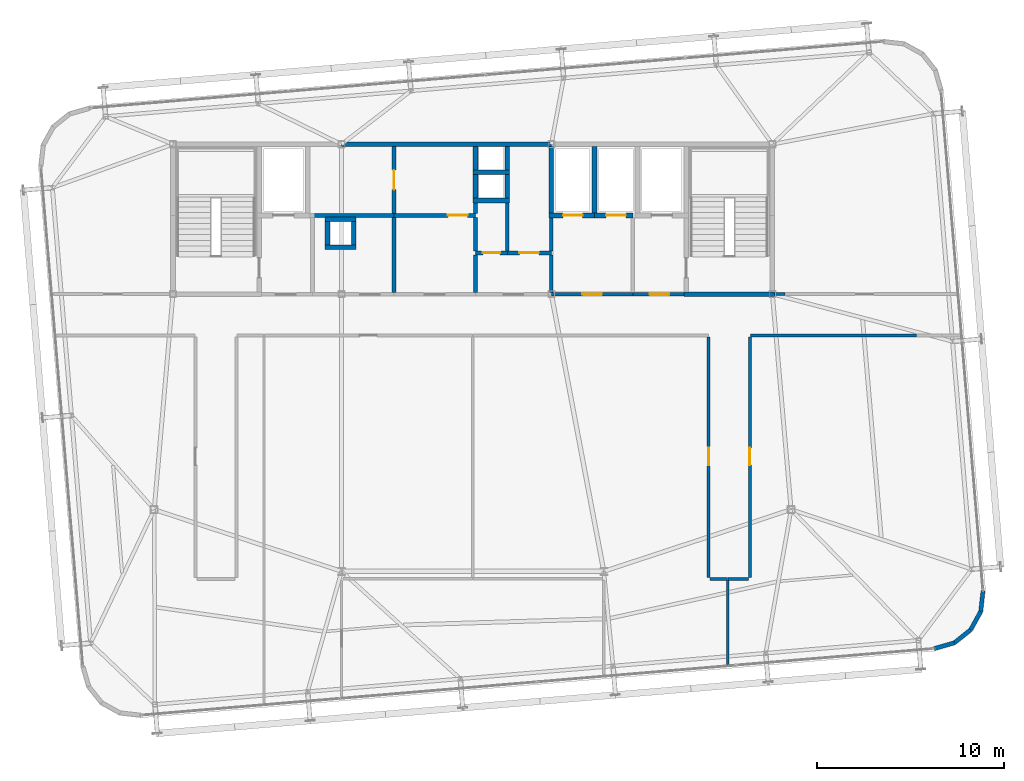
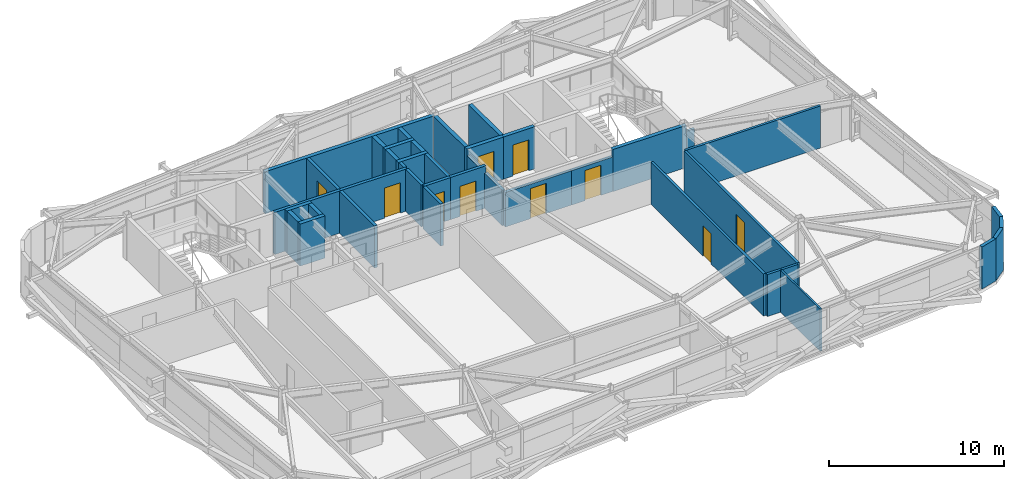
# One storey, part 34 of 37: 41 walls, 10 doors, 10 openings.
"""IFC4 building model written with IfcOpenShell, lengths in metres."""

import ifcopenshell
import ifcopenshell.guid

model = None  # the IFC model being written
_history = None  # IfcOwnerHistory: only IFC2X3 demands one
_inside = {}  # id of a spatial element -> (the spatial element, [elements in it])
_under = {}  # id of a project, library or spatial element -> (it, [spatial elements below it])
_declared = {}  # id of a project -> (the project, [libraries it declares])
_typed = {}  # id of a type object -> (the type object, [elements of that type])
_made_of = {}  # id of a material, layer set ... -> (it, [elements and type objects made of it])


def new_model(schema):
    """Start an empty IFC model of exactly this schema.

    Asked for "IFC4X3", IfcOpenShell would pick the latest addendum, in which some entities
    have other attributes; the version numbers below select the first issue.
    IFC2X3 requires an IfcOwnerHistory on every rooted entity: one is made here for all.
    """
    global model, _history
    if schema == "IFC4X3":
        model = ifcopenshell.file(schema_version=(4, 3, 0, 0))
    else:
        model = ifcopenshell.file(schema=schema)
    _inside.clear()
    _under.clear()
    _declared.clear()
    _typed.clear()
    _made_of.clear()
    _history = None
    if model.schema == "IFC2X3":
        org = make("IfcOrganization", Name="unknown")
        user = make(
            "IfcPersonAndOrganization",
            ThePerson=make("IfcPerson", FamilyName="unknown"),
            TheOrganization=org,
        )
        app = make(
            "IfcApplication",
            ApplicationDeveloper=org,
            Version="unknown",
            ApplicationFullName="unknown",
            ApplicationIdentifier="unknown",
        )
        _history = make(
            "IfcOwnerHistory",
            OwningUser=user,
            OwningApplication=app,
            ChangeAction="ADDED",
            CreationDate=0,
        )
    return model


def make(cls, **values):
    """One entity of the class cls with the attributes given. An attribute that is None is left unset."""
    return model.create_entity(
        cls, **{name: value for name, value in values.items() if value is not None}
    )


def rooted(cls, **values):
    """An entity with a GlobalId (a new one), such as an element, a storey or a relation."""
    return make(cls, GlobalId=ifcopenshell.guid.new(), OwnerHistory=_history, **values)


def si_unit(unit_type, name, prefix=None):
    """IfcSIUnit, for example si_unit("LENGTHUNIT", "METRE", prefix="MILLI")."""
    return make("IfcSIUnit", UnitType=unit_type, Prefix=prefix, Name=name)


def assignment(units):
    """IfcUnitAssignment: the units of a project."""
    return None if units is None else make("IfcUnitAssignment", Units=units)


def point(xyz):
    """IfcCartesianPoint."""
    return None if xyz is None else make("IfcCartesianPoint", Coordinates=xyz)


def direction(xyz):
    """IfcDirection."""
    return None if xyz is None else make("IfcDirection", DirectionRatios=xyz)


def frame(location, z_axis=None, x_axis=None):
    """IfcAxis2Placement3D, a coordinate frame: its origin and axes. An axis left out is left unset."""
    return make(
        "IfcAxis2Placement3D",
        Location=point(location),
        Axis=direction(z_axis),
        RefDirection=direction(x_axis),
    )


def frame_2d(location, x_axis=None):
    """IfcAxis2Placement2D, a coordinate frame in the plane: its origin and x axis."""
    return make(
        "IfcAxis2Placement2D", Location=point(location), RefDirection=direction(x_axis)
    )


def origin():
    """The frame at (0, 0, 0) with its axes left unset."""
    return frame((0.0, 0.0, 0.0))


def place(relative_to, where):
    """IfcLocalPlacement: puts the frame where relative to a parent placement (None: the world)."""
    return make(
        "IfcLocalPlacement", PlacementRelTo=relative_to, RelativePlacement=where
    )


def context(
    kind, dimensions, precision=None, world=None, true_north=None, identifier=None
):
    """IfcGeometricRepresentationContext, for example the 3D "Model" context."""
    return make(
        "IfcGeometricRepresentationContext",
        ContextIdentifier=identifier,
        ContextType=kind,
        CoordinateSpaceDimension=dimensions,
        Precision=precision,
        WorldCoordinateSystem=world,
        TrueNorth=true_north,
    )


def subcontext(parent, identifier, kind, view, scale=None):
    """IfcGeometricRepresentationSubContext, for example "Body" below "Model"."""
    return make(
        "IfcGeometricRepresentationSubContext",
        ContextIdentifier=identifier,
        ContextType=kind,
        ParentContext=parent,
        TargetScale=scale,
        TargetView=view,
    )


def project(units=None, contexts=None):
    """IfcProject with its units and contexts."""
    return rooted(
        "IfcProject",
        Name="project",
        RepresentationContexts=contexts,
        UnitsInContext=assignment(units),
    )


def spatial(cls, under=None, at=None, **own):
    """A site, building, storey or space (cls), placed at a placement, below another one or the project."""
    s = rooted(cls, ObjectPlacement=at, **own)
    if under is not None:
        _under.setdefault(under.id(), (under, []))[1].append(s)
    return s


def profile(cls, at=None, kind="AREA", **sizes):
    """A parametric profile (cls). Its sizes go by their IFC names, for example OverallWidth=200.0."""
    return make(cls, ProfileType=kind, Position=at, **sizes)


def rectangle(**sizes):
    """IfcRectangleProfileDef."""
    return profile("IfcRectangleProfileDef", **sizes)


def extrude(swept, where, along, depth):
    """IfcExtrudedAreaSolid: the profile swept, set in the frame where, extruded along a direction by depth."""
    return make(
        "IfcExtrudedAreaSolid",
        SweptArea=swept,
        Position=where,
        ExtrudedDirection=direction(along),
        Depth=depth,
    )


def shape(context_of_items, identifier, shape_type, items):
    """IfcShapeRepresentation: the items that make up one representation, for example the "Body"."""
    return make(
        "IfcShapeRepresentation",
        ContextOfItems=context_of_items,
        RepresentationIdentifier=identifier,
        RepresentationType=shape_type,
        Items=items,
    )


def source(mapping_origin, context_of_items, identifier, shape_type, items):
    """IfcRepresentationMap: a shape defined once, which mapped items show again and again."""
    return make(
        "IfcRepresentationMap",
        MappingOrigin=mapping_origin,
        MappedRepresentation=shape(context_of_items, identifier, shape_type, items),
    )


def transform(
    local_origin,
    x_axis=None,
    y_axis=None,
    z_axis=None,
    scale=None,
    scale2=None,
    scale3=None,
    uniform=True,
):
    """IfcCartesianTransformationOperator3D, or its non-uniform kind. x_axis, y_axis, z_axis: its Axis1, 2, 3."""
    if uniform:
        return make(
            "IfcCartesianTransformationOperator3D",
            Axis1=direction(x_axis),
            Axis2=direction(y_axis),
            LocalOrigin=point(local_origin),
            Scale=scale,
            Axis3=direction(z_axis),
        )
    return make(
        "IfcCartesianTransformationOperator3DnonUniform",
        Axis1=direction(x_axis),
        Axis2=direction(y_axis),
        LocalOrigin=point(local_origin),
        Scale=scale,
        Axis3=direction(z_axis),
        Scale2=scale2,
        Scale3=scale3,
    )


def mapped(mapping_source, mapping_target):
    """IfcMappedItem: shows the shape of a source again, moved by a transform."""
    return make(
        "IfcMappedItem", MappingSource=mapping_source, MappingTarget=mapping_target
    )


def material(Name=None, Category=None):
    """IfcMaterial."""
    return make("IfcMaterial", Name=Name, Category=Category)


def layer(
    of_material, thickness, ventilated=None, Name=None, Category=None, Priority=None
):
    """IfcMaterialLayer: one layer of a wall or slab, of a material (None: an air gap)."""
    return make(
        "IfcMaterialLayer",
        Material=of_material,
        LayerThickness=thickness,
        IsVentilated=ventilated,
        Name=Name,
        Category=Category,
        Priority=Priority,
    )


def layer_set(layers, Name=None):
    """IfcMaterialLayerSet."""
    return make("IfcMaterialLayerSet", MaterialLayers=layers, LayerSetName=Name)


def made_of(thing, what):
    """Note that an element or type object is made of a material, layer set ...; save() writes the relation."""
    if what is not None:
        _made_of.setdefault(what.id(), (what, []))[1].append(thing)
    return thing


def type_object(cls, material=None, **own):
    """A type object (cls), such as IfcWallType, which elements share."""
    return made_of(rooted(cls, **own), material)


def element(
    cls,
    number,
    at=None,
    inside=None,
    cuts=None,
    type_object=None,
    material=None,
    context=None,
    identifier="Body",
    shape_type=None,
    held_by="IfcProductDefinitionShape",
    body=None,
    shapes=None,
    **own,
):
    """One element of the class cls, such as IfcWall. Its Tag is "e" and its number.

    at: its placement. inside: the storey or other place that contains it. cuts: it is an
    opening in that element (IfcRelVoidsElement). A single representation is given by context,
    identifier, shape_type and body (its items); several are given by shapes. held_by: the class
    of the entity that holds the representations. save() writes the other relations.
    """
    e = rooted(cls, Tag="e%d" % number, ObjectPlacement=at, **own)
    if body is not None:
        shapes = [shape(context, identifier, shape_type, body)]
    if shapes is not None:
        e.Representation = make(held_by, Representations=shapes)
    if inside is not None:
        _inside.setdefault(inside.id(), (inside, []))[1].append(e)
    if cuts is not None:
        rooted(
            "IfcRelVoidsElement", RelatingBuildingElement=cuts, RelatedOpeningElement=e
        )
    if type_object is not None:
        _typed.setdefault(type_object.id(), (type_object, []))[1].append(e)
    return made_of(e, material)


def fill(opening, filler):
    """IfcRelFillsElement: the door or window that sits in an opening."""
    return rooted(
        "IfcRelFillsElement",
        RelatingOpeningElement=opening,
        RelatedBuildingElement=filler,
    )


def aggregate(whole, parts):
    """IfcRelAggregates: a whole, such as a stair, and the parts it consists of."""
    return rooted("IfcRelAggregates", RelatingObject=whole, RelatedObjects=parts)


def save(model, path):
    """Write the relations noted so far, then the file.

    IfcRelAggregates (storeys below a building ...), IfcRelContainedInSpatialStructure (elements
    in a storey), IfcRelDefinesByType, IfcRelAssociatesMaterial and IfcRelDeclares: one each for
    every whole, place, type object, material and project.
    """
    for whole, parts in _under.values():
        aggregate(whole, parts)
    for where, things in _inside.values():
        rooted(
            "IfcRelContainedInSpatialStructure",
            RelatedElements=things,
            RelatingStructure=where,
        )
    for kind, things in _typed.values():
        rooted("IfcRelDefinesByType", RelatedObjects=things, RelatingType=kind)
    for what, things in _made_of.values():
        rooted("IfcRelAssociatesMaterial", RelatedObjects=things, RelatingMaterial=what)
    for by, libraries in _declared.values():
        rooted("IfcRelDeclares", RelatingContext=by, RelatedDefinitions=libraries)
    model.write(path)


model = new_model("IFC4")

# Units and contexts
model_context = context("Model", 3, precision=1e-05, world=origin(), true_north=direction((0.0, 1.0)))
body_context = subcontext(model_context, "Body", "Model", "MODEL_VIEW")
ifc_project = project(units=[si_unit("LENGTHUNIT", "METRE"), si_unit("AREAUNIT", "SQUARE_METRE"), si_unit("VOLUMEUNIT", "CUBIC_METRE"), si_unit("PLANEANGLEUNIT", "RADIAN"), si_unit("MASSUNIT", "GRAM", prefix="KILO")], contexts=[model_context])

# Site, building, storey
site_placement = place(None, origin())
site = spatial("IfcSite", under=ifc_project, at=site_placement, CompositionType="ELEMENT")
building_placement = place(site_placement, origin())
building = spatial("IfcBuilding", under=site, at=building_placement, Name="Taldren Reach Tower", CompositionType="ELEMENT")
storey_placement = place(building_placement, frame((0.0, 0.0, 200.89990234375)))
storey = spatial("IfcBuildingStorey", under=building, at=storey_placement, Name="L61", CompositionType="ELEMENT", Elevation=200.89990234375)

# Walls
ifc_material_1 = material(Name="Pale Champagne Anodised Aluminium Cladding", Category="aluminium")
ifc_layer_1 = layer(ifc_material_1, 0.04, Name="Pale Champagne Anodised Aluminium Cladding", Category="aluminium")
ifc_material_2 = material(Name="Mineral Wool Acoustic Insulation", Category="insulation")
ifc_layer_2 = layer(ifc_material_2, 0.06, Name="Mineral Wool Acoustic Insulation", Category="insulation")
ifc_material_3 = material(Name="Steel Gr 350 (C350L0)", Category="steel")
ifc_layer_3 = layer(ifc_material_3, 0.12, Name="Steel Gr 350 (C350L0)", Category="steel")
ifc_layer_set_1 = layer_set([ifc_layer_1, ifc_layer_2, ifc_layer_3], Name="Pale Champagne Aluminium Cladding and Steel Gr 350 Stud Framing")
wall_type_1 = type_object("IfcWallType", Name="EW-CRN-220", PredefinedType="SOLIDWALL", material=ifc_layer_set_1)
shared_shape_1 = source(origin(), body_context, "Body", "SweptSolid", [
    extrude(rectangle(XDim=1.115966796875, YDim=0.219970703125, at=frame_2d((0.55810546875, 0.0))), origin(), (0.0, 0.0, 1.0), 2.93017578125),
])
for number, where, z_axis, x_axis, name in (
    (1, (59.635986328125, 5.0751953125, 0.0), (0.0, 0.0, 1.0), (0.961010464297, 0.276512002475, 0.0), "Rounded-corner pale-metal facade wall L61-SE1"),
    (2, (60.70849609375, 5.3837890625, 0.0), (0.0, 0.0, 1.0), (0.782147847222, 0.623092886403, 0.0), "Rounded-corner pale-metal facade wall L61-SE2"),
    (3, (61.581298828125, 6.0791015625, 0.0), (0.0, 0.0, 1.0), (0.483933071672, 0.875105012065, 0.0), "Rounded-corner pale-metal facade wall L61-SE3"),
    (4, (62.121337890625, 7.0556640625, 0.0), (0.0, 0.0, 1.0), (0.112448259968, 0.993657581277, 0.0), "Rounded-corner pale-metal facade wall L61-SE4"),
):
    element("IfcWall", number, at=place(storey_placement, frame(where, z_axis=z_axis, x_axis=x_axis)), inside=storey, type_object=wall_type_1, Name=name, PredefinedType="SOLIDWALL", context=body_context, shape_type="MappedRepresentation", body=[
        mapped(shared_shape_1, transform((0.0, 0.0, 0.0), scale=1.0)),
    ])
ifc_material_4 = material(Name="Concrete S50 (50 MPa)", Category="concrete")
ifc_layer_4 = layer(ifc_material_4, 0.199951171875)
ifc_layer_set_2 = layer_set([ifc_layer_4], Name="Concrete S50 (50 MPa)")
wall_type_2 = type_object("IfcWallType", Name="IW-CORE-200", PredefinedType="SOLIDWALL", material=ifc_layer_set_2)
shared_shape_2 = source(origin(), body_context, "Body", "SweptSolid", [
    extrude(rectangle(XDim=2.0, YDim=0.199951171875, at=frame_2d((1.0, 0.0))), origin(), (0.0, 0.0, 1.0), 2.47021484375),
])
wall_1_placement = place(storey_placement, frame((39.199951171875, 24.10009765625, 0.0), z_axis=(0.0, 0.0, 1.0), x_axis=(0.0, 1.0, 0.0)))
element("IfcWall", 5, at=wall_1_placement, inside=storey, type_object=wall_type_2, Name="Rear Core Shear Wall W-INT-L61-029", PredefinedType="SOLIDWALL", context=body_context, shape_type="MappedRepresentation", body=[
    mapped(shared_shape_2, transform((0.0, 0.0, 0.0), scale=1.0)),
])

# Wall, opening, door
shared_shape_3 = source(origin(), body_context, "Body", "SweptSolid", [
    extrude(rectangle(XDim=4.35009765625, YDim=0.199951171875, at=frame_2d((2.175048828125, 0.0))), origin(), (0.0, 0.0, 1.0), 2.397216796875),
])
wall_2_placement = place(storey_placement, frame((43.550048828125, 24.0, 0.0), z_axis=(0.0, 0.0, 1.0), x_axis=(-1.0, 0.0, 0.0)))
wall_2 = element("IfcWall", 6, at=wall_2_placement, inside=storey, type_object=wall_type_2, Name="Rear Core Shear Wall W-INT-L61-031", PredefinedType="SOLIDWALL", context=body_context, shape_type="MappedRepresentation", body=[
    mapped(shared_shape_3, transform((0.0, 0.0, 0.0), scale=1.0)),
])
shared_shape_4 = source(origin(), body_context, "Body", "SweptSolid", [
    extrude(rectangle(XDim=1.050048828125, YDim=2.10009765625, at=frame_2d((0.52490234375, 1.050048828125))), frame((0.0, 0.10986328125, 0.0), z_axis=(0.0, -1.0, 0.0), x_axis=(1.0, 0.0, 0.0)), (0.0, 0.0, 1.0), 0.219970703125),
])
opening_1_placement = place(wall_2_placement, frame((1.64990234375, 0.0, 0.0)))
opening_1 = element("IfcOpeningElement", 7, at=opening_1_placement, cuts=wall_2, Name="Opening DF-105", PredefinedType="OPENING", context=body_context, shape_type="MappedRepresentation", body=[
    mapped(shared_shape_4, transform((0.0, 0.0, 0.0), scale=1.0)),
])
ifc_material_5 = material(Name="Fire-Rated Care and Stair Exit Door")
door_type_1 = type_object("IfcDoorType", Name="ID-FIRE-105", OperationType="NOTDEFINED", PredefinedType="DOOR", material=ifc_material_5)
shared_shape_5 = source(origin(), body_context, "Body", "SweptSolid", [
    extrude(rectangle(XDim=1.050048828125, YDim=2.10009765625, at=frame_2d((0.52490234375, 1.050048828125))), frame((0.0, 0.02490234375, 0.0), z_axis=(0.0, -1.0, 0.0), x_axis=(1.0, 0.0, 0.0)), (0.0, 0.0, 1.0), 0.050048828125),
])
door_1_placement = place(opening_1_placement, frame((1.050048828125, 0.0, 0.0), z_axis=(0.0, 0.0, 1.0), x_axis=(-1.0, 0.0, 0.0)))
door_1 = element("IfcDoor", 8, at=door_1_placement, inside=storey, type_object=door_type_1, Name="Interior Door DR-L61-005", OperationType="SINGLE_SWING_LEFT", OverallHeight=2.10009765625, OverallWidth=1.050048828125, PredefinedType="DOOR", context=body_context, shape_type="MappedRepresentation", body=[
    mapped(shared_shape_5, transform((0.0, 0.0, 0.0), scale=1.0)),
])
fill(opening_1, door_1)

# Walls
shared_shape_6 = source(origin(), body_context, "Body", "SweptSolid", [
    extrude(rectangle(XDim=4.0, YDim=0.199951171875, at=frame_2d((2.0, 0.0))), origin(), (0.0, 0.0, 1.0), 2.93017578125),
])
wall_3_placement = place(storey_placement, frame((30.800048828125, 28.10009765625, 0.0), z_axis=(0.0, 0.0, 1.0), x_axis=(0.0, -1.0, 0.0)))
element("IfcWall", 9, at=wall_3_placement, inside=storey, type_object=wall_type_2, Name="Rear Core Shear Wall W-INT-L61-033", PredefinedType="SOLIDWALL", context=body_context, shape_type="MappedRepresentation", body=[
    mapped(shared_shape_6, transform((0.0, 0.0, 0.0), scale=1.0)),
])
ifc_material_6 = material(Name="Concrete S65 (65 MPa)", Category="concrete")
ifc_layer_5 = layer(ifc_material_6, 0.25)
ifc_layer_set_3 = layer_set([ifc_layer_5], Name="Concrete S65 (65 MPa)")
wall_type_3 = type_object("IfcWallType", Name="IW-CORE-250", PredefinedType="SHEAR", material=ifc_layer_set_3)
shared_shape_7 = source(origin(), body_context, "Body", "SweptSolid", [
    extrude(rectangle(XDim=11.199951171875, YDim=0.25, at=frame_2d((5.60009765625, 0.0))), origin(), (0.0, 0.0, 1.0), 2.93017578125),
])
wall_4_placement = place(storey_placement, frame((28.0, 32.0, 0.0), z_axis=(0.0, 0.0, 1.0), x_axis=(1.0, 0.0, 0.0)))
element("IfcWall", 10, at=wall_4_placement, inside=storey, type_object=wall_type_3, Name="Rear Core Shear Wall W-CORE-L61-NORTH2", PredefinedType="SHEAR", context=body_context, shape_type="MappedRepresentation", body=[
    mapped(shared_shape_7, transform((0.0, 0.0, 0.0), scale=1.0)),
])
shared_shape_8 = source(origin(), body_context, "Body", "SweptSolid", [
    extrude(rectangle(XDim=3.550048828125, YDim=0.25, at=frame_2d((1.77490234375, 0.0))), origin(), (0.0, 0.0, 1.0), 2.93017578125),
])
for number, where, z_axis, x_axis, name in (
    (11, (41.5, 28.324951171875, 0.0), (0.0, 0.0, 1.0), (0.0, 1.0, 0.0), "Rear Core Shear Wall W-INT-L61-025"),
    (12, (39.199951171875, 31.875, 0.0), (0.0, 0.0, 1.0), (0.0, -1.0, 0.0), "Rear Core Shear Wall W-INT-L61-027"),
):
    element("IfcWall", number, at=place(storey_placement, frame(where, z_axis=z_axis, x_axis=x_axis)), inside=storey, type_object=wall_type_3, Name=name, PredefinedType="SHEAR", context=body_context, shape_type="MappedRepresentation", body=[
        mapped(shared_shape_8, transform((0.0, 0.0, 0.0), scale=1.0)),
    ])
shared_shape_9 = source(origin(), body_context, "Body", "SweptSolid", [
    extrude(rectangle(XDim=4.85009765625, YDim=0.25, at=frame_2d((2.425048828125, 0.0))), origin(), (0.0, 0.0, 1.0), 2.93017578125),
])
wall_5_placement = place(storey_placement, frame((46.27490234375, 24.0, 0.0), z_axis=(0.0, 0.0, 1.0), x_axis=(1.0, 0.0, 0.0)))
element("IfcWall", 13, at=wall_5_placement, inside=storey, type_object=wall_type_3, Name="Rear Core Shear Wall W-INT-L61-010", PredefinedType="SHEAR", context=body_context, shape_type="MappedRepresentation", body=[
    mapped(shared_shape_9, transform((0.0, 0.0, 0.0), scale=1.0)),
])

# Wall, opening, door
shared_shape_10 = source(origin(), body_context, "Body", "SweptSolid", [
    extrude(rectangle(XDim=2.724853515625, YDim=0.199951171875, at=frame_2d((1.3623046875, 0.0))), origin(), (0.0, 0.0, 1.0), 2.397216796875),
])
wall_6_placement = place(storey_placement, frame((43.550048828125, 24.0, 0.0), z_axis=(0.0, 0.0, 1.0), x_axis=(1.0, 0.0, 0.0)))
wall_6 = element("IfcWall", 14, at=wall_6_placement, inside=storey, type_object=wall_type_2, Name="Rear Core Shear Wall W-INT-L61-014", PredefinedType="SOLIDWALL", context=body_context, shape_type="MappedRepresentation", body=[
    mapped(shared_shape_10, transform((0.0, 0.0, 0.0), scale=1.0)),
])
opening_2_placement = place(wall_6_placement, frame((0.89990234375, 0.0, 0.0)))
opening_2 = element("IfcOpeningElement", 15, at=opening_2_placement, cuts=wall_6, Name="Opening DF-105", PredefinedType="OPENING", context=body_context, shape_type="MappedRepresentation", body=[
    mapped(shared_shape_4, transform((0.0, 0.0, 0.0), scale=1.0)),
])
door_2_placement = place(opening_2_placement, origin())
door_2 = element("IfcDoor", 16, at=door_2_placement, inside=storey, type_object=door_type_1, Name="Interior Door DR-L61-004", OperationType="SINGLE_SWING_LEFT", OverallHeight=2.10009765625, OverallWidth=1.050048828125, PredefinedType="DOOR", context=body_context, shape_type="MappedRepresentation", body=[
    mapped(shared_shape_5, transform((0.0, 0.0, 0.0), scale=1.0)),
])
fill(opening_2, door_2)

# Walls
shared_shape_11 = source(origin(), body_context, "Body", "SweptSolid", [
    extrude(rectangle(XDim=1.9501953125, YDim=0.25, at=frame_2d((0.97509765625, 0.0))), origin(), (0.0, 0.0, 1.0), 2.93017578125),
])
for number, where, z_axis, x_axis, name in (
    (17, (35.02490234375, 30.5, 0.0), (0.0, 0.0, 1.0), (1.0, 0.0, 0.0), "Rear Core Shear Wall W-INT-L61-015"),
    (18, (35.02490234375, 29.0, 0.0), (0.0, 0.0, 1.0), (1.0, 0.0, 0.0), "Rear Core Shear Wall W-INT-L61-019"),
):
    element("IfcWall", number, at=place(storey_placement, frame(where, z_axis=z_axis, x_axis=x_axis)), inside=storey, type_object=wall_type_3, Name=name, PredefinedType="SHEAR", context=body_context, shape_type="MappedRepresentation", body=[
        mapped(shared_shape_11, transform((0.0, 0.0, 0.0), scale=1.0)),
    ])
shared_shape_12 = source(origin(), body_context, "Body", "SweptSolid", [
    extrude(rectangle(XDim=1.25, YDim=0.25, at=frame_2d((0.625, 0.0))), origin(), (0.0, 0.0, 1.0), 2.93017578125),
])
for number, where, z_axis, x_axis, name in (
    (19, (35.14990234375, 31.875, 0.0), (0.0, 0.0, 1.0), (0.0, -1.0, 0.0), "Rear Core Shear Wall W-INT-L61-016"),
    (20, (36.85009765625, 30.625, 0.0), (0.0, 0.0, 1.0), (0.0, 1.0, 0.0), "Rear Core Shear Wall W-INT-L61-017"),
    (21, (35.14990234375, 30.375, 0.0), (0.0, 0.0, 1.0), (0.0, -1.0, 0.0), "Rear Core Shear Wall W-INT-L61-018"),
    (22, (36.85009765625, 29.125, 0.0), (0.0, 0.0, 1.0), (0.0, 1.0, 0.0), "Rear Core Shear Wall W-INT-L61-020"),
    (23, (28.64990234375, 26.625, 0.0), (0.0, 0.0, 1.0), (0.0, 1.0, 0.0), "Rear Core Shear Wall W-INT-L61-021"),
    (24, (27.25, 27.875, 0.0), (0.0, 0.0, 1.0), (0.0, -1.0, 0.0), "Rear Core Shear Wall W-INT-L61-022"),
):
    element("IfcWall", number, at=place(storey_placement, frame(where, z_axis=z_axis, x_axis=x_axis)), inside=storey, type_object=wall_type_3, Name=name, PredefinedType="SHEAR", context=body_context, shape_type="MappedRepresentation", body=[
        mapped(shared_shape_12, transform((0.0, 0.0, 0.0), scale=1.0)),
    ])
shared_shape_13 = source(origin(), body_context, "Body", "SweptSolid", [
    extrude(rectangle(XDim=1.64990234375, YDim=0.25, at=frame_2d((0.824951171875, 0.0))), origin(), (0.0, 0.0, 1.0), 2.93017578125),
])
for number, where, z_axis, x_axis, name in (
    (25, (28.77490234375, 28.0, 0.0), (0.0, 0.0, 1.0), (-1.0, 0.0, 0.0), "Rear Core Shear Wall W-INT-L61-023"),
    (26, (27.125, 26.5, 0.0), (0.0, 0.0, 1.0), (1.0, 0.0, 0.0), "Rear Core Shear Wall W-INT-L61-024"),
):
    element("IfcWall", number, at=place(storey_placement, frame(where, z_axis=z_axis, x_axis=x_axis)), inside=storey, type_object=wall_type_3, Name=name, PredefinedType="SHEAR", context=body_context, shape_type="MappedRepresentation", body=[
        mapped(shared_shape_13, transform((0.0, 0.0, 0.0), scale=1.0)),
    ])

# Wall, opening, door
shared_shape_14 = source(origin(), body_context, "Body", "SweptSolid", [
    extrude(rectangle(XDim=2.425048828125, YDim=0.25, at=frame_2d((1.21240234375, 0.0))), origin(), (0.0, 0.0, 1.0), 2.93017578125),
])
wall_7_placement = place(storey_placement, frame((39.074951171875, 28.199951171875, 0.0), z_axis=(0.0, 0.0, 1.0), x_axis=(1.0, 0.0, 0.0)))
wall_7 = element("IfcWall", 27, at=wall_7_placement, inside=storey, type_object=wall_type_3, Name="Rear Core Shear Wall W-INT-L61-026", PredefinedType="SHEAR", context=body_context, shape_type="MappedRepresentation", body=[
    mapped(shared_shape_14, transform((0.0, 0.0, 0.0), scale=1.0)),
])
shared_shape_15 = source(origin(), body_context, "Body", "SweptSolid", [
    extrude(rectangle(XDim=1.050048828125, YDim=2.14990234375, at=frame_2d((0.52490234375, 1.074951171875))), frame((0.0, 0.135009765625, 0.0), z_axis=(0.0, -1.0, 0.0), x_axis=(1.0, 0.0, 0.0)), (0.0, 0.0, 1.0), 0.27001953125),
])
opening_3_placement = place(wall_7_placement, frame((0.75, 0.0, 0.0)))
opening_3 = element("IfcOpeningElement", 28, at=opening_3_placement, cuts=wall_7, Name="Opening LD-PH1", PredefinedType="OPENING", context=body_context, shape_type="MappedRepresentation", body=[
    mapped(shared_shape_15, transform((0.0, 0.0, 0.0), scale=1.0)),
])
ifc_material_7 = material(Name="Stainless Steel Gr 316 Passenger Lift Landing Door", Category="steel")
door_type_2 = type_object("IfcDoorType", Name="LD-PAS-105", OperationType="SLIDING_TO_LEFT", PredefinedType="DOOR", material=ifc_material_7)
shared_shape_16 = source(origin(), body_context, "Body", "SweptSolid", [
    extrude(rectangle(XDim=1.050048828125, YDim=2.14990234375, at=frame_2d((0.52490234375, 1.074951171875))), frame((0.0, 0.02490234375, 0.0), z_axis=(0.0, -1.0, 0.0), x_axis=(1.0, 0.0, 0.0)), (0.0, 0.0, 1.0), 0.050048828125),
])
door_3_placement = place(opening_3_placement, origin())
door_3 = element("IfcDoor", 29, at=door_3_placement, inside=storey, type_object=door_type_2, Name="Lift Landing Door LD-PH1-L61", OperationType="SLIDING_TO_LEFT", OverallHeight=2.14990234375, OverallWidth=1.050048828125, PredefinedType="DOOR", context=body_context, shape_type="MappedRepresentation", body=[
    mapped(shared_shape_16, transform((0.0, 0.0, 0.0), scale=1.0)),
])
fill(opening_3, door_3)

shared_shape_17 = source(origin(), body_context, "Body", "SweptSolid", [
    extrude(rectangle(XDim=2.070068359375, YDim=0.25, at=frame_2d((1.03515625, 0.0))), origin(), (0.0, 0.0, 1.0), 2.93017578125),
])
wall_8_placement = place(storey_placement, frame((41.5, 28.199951171875, 0.0), z_axis=(0.0, 0.0, 1.0), x_axis=(1.0, 0.0, 0.0)))
wall_8 = element("IfcWall", 30, at=wall_8_placement, inside=storey, type_object=wall_type_3, Name="Rear Core Shear Wall W-INT-L61-028", PredefinedType="SHEAR", context=body_context, shape_type="MappedRepresentation", body=[
    mapped(shared_shape_17, transform((0.0, 0.0, 0.0), scale=1.0)),
])
opening_4_placement = place(wall_8_placement, frame((0.625, 0.0, 0.0)))
opening_4 = element("IfcOpeningElement", 31, at=opening_4_placement, cuts=wall_8, Name="Opening LD-PH2", PredefinedType="OPENING", context=body_context, shape_type="MappedRepresentation", body=[
    mapped(shared_shape_15, transform((0.0, 0.0, 0.0), scale=1.0)),
])
door_4_placement = place(opening_4_placement, origin())
door_4 = element("IfcDoor", 32, at=door_4_placement, inside=storey, type_object=door_type_2, Name="Lift Landing Door LD-PH2-L61", OperationType="SLIDING_TO_LEFT", OverallHeight=2.14990234375, OverallWidth=1.050048828125, PredefinedType="DOOR", context=body_context, shape_type="MappedRepresentation", body=[
    mapped(shared_shape_16, transform((0.0, 0.0, 0.0), scale=1.0)),
])
fill(opening_4, door_4)

ifc_material_8 = material(Name="Fire-Rated Acoustic Plasterboard Stud Wall", Category="gypsum")
ifc_layer_6 = layer(ifc_material_8, 0.159912109375)
ifc_layer_set_4 = layer_set([ifc_layer_6], Name="Fire-Rated Acoustic Plasterboard Stud Wall")
wall_type_4 = type_object("IfcWallType", Name="IW-FIRE-160", PredefinedType="PARTITIONING", material=ifc_layer_set_4)
shared_shape_18 = source(origin(), body_context, "Body", "SweptSolid", [
    extrude(rectangle(XDim=12.840087890625, YDim=0.159912109375, at=frame_2d((6.419921875, 0.0))), origin(), (0.0, 0.0, 1.0), 2.93017578125),
])
wall_9_placement = place(storey_placement, frame((47.60009765625, 8.8798828125, 0.0), z_axis=(0.0, 0.0, 1.0), x_axis=(0.0, 1.0, 0.0)))
wall_9 = element("IfcWall", 33, at=wall_9_placement, inside=storey, type_object=wall_type_4, Name="Interior Partition Wall W-INT-L61-053", PredefinedType="PARTITIONING", context=body_context, shape_type="MappedRepresentation", body=[
    mapped(shared_shape_18, transform((0.0, 0.0, 0.0), scale=1.0)),
])
shared_shape_19 = source(origin(), body_context, "Body", "SweptSolid", [
    extrude(rectangle(XDim=0.919921875, YDim=2.10009765625, at=frame_2d((0.4599609375, 1.050048828125))), frame((0.0, 0.08984375, 0.0), z_axis=(0.0, -1.0, 0.0), x_axis=(1.0, 0.0, 0.0)), (0.0, 0.0, 1.0), 0.179931640625),
])
opening_5_placement = place(wall_9_placement, frame((5.98974609375, 0.0, 0.0)))
opening_5 = element("IfcOpeningElement", 34, at=opening_5_placement, cuts=wall_9, Name="Opening DI-092", PredefinedType="OPENING", context=body_context, shape_type="MappedRepresentation", body=[
    mapped(shared_shape_19, transform((0.0, 0.0, 0.0), scale=1.0)),
])
ifc_material_9 = material(Name="Solid-Core Timber Suite Door", Category="wood")
door_type_3 = type_object("IfcDoorType", Name="ID-INT-092", OperationType="NOTDEFINED", PredefinedType="DOOR", material=ifc_material_9)
shared_shape_20 = source(origin(), body_context, "Body", "SweptSolid", [
    extrude(rectangle(XDim=0.919921875, YDim=2.10009765625, at=frame_2d((0.4599609375, 1.050048828125))), frame((0.0, 0.02490234375, 0.0), z_axis=(0.0, -1.0, 0.0), x_axis=(1.0, 0.0, 0.0)), (0.0, 0.0, 1.0), 0.050048828125),
])
door_5_placement = place(opening_5_placement, origin())
door_5 = element("IfcDoor", 35, at=door_5_placement, inside=storey, type_object=door_type_3, Name="Interior Door DR-L61-017", OperationType="SINGLE_SWING_RIGHT", OverallHeight=2.10009765625, OverallWidth=0.919921875, PredefinedType="DOOR", context=body_context, shape_type="MappedRepresentation", body=[
    mapped(shared_shape_20, transform((0.0, 0.0, 0.0), scale=1.0)),
])
fill(opening_5, door_5)

wall_10_placement = place(storey_placement, frame((49.800048828125, 21.719970703125, 0.0), z_axis=(0.0, 0.0, 1.0), x_axis=(0.0, -1.0, 0.0)))
wall_10 = element("IfcWall", 36, at=wall_10_placement, inside=storey, type_object=wall_type_4, Name="Interior Partition Wall W-INT-L61-056", PredefinedType="PARTITIONING", context=body_context, shape_type="MappedRepresentation", body=[
    mapped(shared_shape_18, transform((0.0, 0.0, 0.0), scale=1.0)),
])
opening_6_placement = place(wall_10_placement, frame((5.93017578125, 0.0, 0.0)))
opening_6 = element("IfcOpeningElement", 37, at=opening_6_placement, cuts=wall_10, Name="Opening DI-092", PredefinedType="OPENING", context=body_context, shape_type="MappedRepresentation", body=[
    mapped(shared_shape_19, transform((0.0, 0.0, 0.0), scale=1.0)),
])
door_6_placement = place(opening_6_placement, origin())
door_6 = element("IfcDoor", 38, at=door_6_placement, inside=storey, type_object=door_type_3, Name="Interior Door DR-L61-018", OperationType="SINGLE_SWING_LEFT", OverallHeight=2.10009765625, OverallWidth=0.919921875, PredefinedType="DOOR", context=body_context, shape_type="MappedRepresentation", body=[
    mapped(shared_shape_20, transform((0.0, 0.0, 0.0), scale=1.0)),
])
fill(opening_6, door_6)

# Walls
shared_shape_21 = source(origin(), body_context, "Body", "SweptSolid", [
    extrude(rectangle(XDim=0.5556640625, YDim=0.159912109375, at=frame_2d((0.27783203125, 0.0))), origin(), (0.0, 0.0, 1.0), 2.47021484375),
])
wall_11_placement = place(storey_placement, frame((51.125, 24.0, 0.0), z_axis=(0.0, 0.0, 1.0), x_axis=(1.0, 0.0, 0.0)))
element("IfcWall", 39, at=wall_11_placement, inside=storey, type_object=wall_type_4, Name="Interior Partition Wall W-INT-L61-052", PredefinedType="PARTITIONING", context=body_context, shape_type="MappedRepresentation", body=[
    mapped(shared_shape_21, transform((0.0, 0.0, 0.0), scale=1.0)),
])
shared_shape_22 = source(origin(), body_context, "Body", "SweptSolid", [
    extrude(rectangle(XDim=1.77490234375, YDim=0.199951171875, at=frame_2d((0.887451171875, 0.0))), origin(), (0.0, 0.0, 1.0), 2.47021484375),
])
wall_12_placement = place(storey_placement, frame((39.199951171875, 26.300048828125, 0.0), z_axis=(0.0, 0.0, 1.0), x_axis=(0.0, 1.0, 0.0)))
element("IfcWall", 40, at=wall_12_placement, inside=storey, type_object=wall_type_2, Name="Rear Core Shear Wall W-INT-L61-030", PredefinedType="SOLIDWALL", context=body_context, shape_type="MappedRepresentation", body=[
    mapped(shared_shape_22, transform((0.0, 0.0, 0.0), scale=1.0)),
])
shared_shape_23 = source(origin(), body_context, "Body", "SweptSolid", [
    extrude(rectangle(XDim=4.35009765625, YDim=0.199951171875, at=frame_2d((2.175048828125, 0.0))), origin(), (0.0, 0.0, 1.0), 2.93017578125),
])
wall_13_placement = place(storey_placement, frame((26.449951171875, 28.199951171875, 0.0), z_axis=(0.0, 0.0, 1.0), x_axis=(1.0, 0.0, 0.0)))
element("IfcWall", 41, at=wall_13_placement, inside=storey, type_object=wall_type_2, Name="Rear Core Shear Wall W-INT-L61-032", PredefinedType="SOLIDWALL", context=body_context, shape_type="MappedRepresentation", body=[
    mapped(shared_shape_23, transform((0.0, 0.0, 0.0), scale=1.0)),
])

# Wall, opening, door
shared_shape_24 = source(origin(), body_context, "Body", "SweptSolid", [
    extrude(rectangle(XDim=3.574951171875, YDim=0.199951171875, at=frame_2d((1.78759765625, 0.0))), origin(), (0.0, 0.0, 1.0), 2.93017578125),
])
wall_14_placement = place(storey_placement, frame((30.800048828125, 31.875, 0.0), z_axis=(0.0, 0.0, 1.0), x_axis=(0.0, -1.0, 0.0)))
wall_14 = element("IfcWall", 42, at=wall_14_placement, inside=storey, type_object=wall_type_2, Name="Rear Core Shear Wall W-INT-L61-035", PredefinedType="SOLIDWALL", context=body_context, shape_type="MappedRepresentation", body=[
    mapped(shared_shape_24, transform((0.0, 0.0, 0.0), scale=1.0)),
])
opening_7_placement = place(wall_14_placement, frame((1.25, 0.0, 0.0)))
opening_7 = element("IfcOpeningElement", 43, at=opening_7_placement, cuts=wall_14, Name="Opening DF-105", PredefinedType="OPENING", context=body_context, shape_type="MappedRepresentation", body=[
    mapped(shared_shape_4, transform((0.0, 0.0, 0.0), scale=1.0)),
])
door_7_placement = place(opening_7_placement, origin())
door_7 = element("IfcDoor", 44, at=door_7_placement, inside=storey, type_object=door_type_1, Name="Interior Door DR-L61-007", OperationType="SINGLE_SWING_RIGHT", OverallHeight=2.10009765625, OverallWidth=1.050048828125, PredefinedType="DOOR", context=body_context, shape_type="MappedRepresentation", body=[
    mapped(shared_shape_5, transform((0.0, 0.0, 0.0), scale=1.0)),
])
fill(opening_7, door_7)

shared_shape_25 = source(origin(), body_context, "Body", "SweptSolid", [
    extrude(rectangle(XDim=4.349853515625, YDim=0.199951171875, at=frame_2d((2.1748046875, 0.0))), origin(), (0.0, 0.0, 1.0), 2.93017578125),
])
wall_15_placement = place(storey_placement, frame((30.800048828125, 28.199951171875, 0.0), z_axis=(0.0, 0.0, 1.0), x_axis=(1.0, 0.0, 0.0)))
wall_15 = element("IfcWall", 45, at=wall_15_placement, inside=storey, type_object=wall_type_2, Name="Rear Core Shear Wall W-INT-L61-036", PredefinedType="SOLIDWALL", context=body_context, shape_type="MappedRepresentation", body=[
    mapped(shared_shape_25, transform((0.0, 0.0, 0.0), scale=1.0)),
])
opening_8_placement = place(wall_15_placement, frame((2.8798828125, 0.0, 0.0)))
opening_8 = element("IfcOpeningElement", 46, at=opening_8_placement, cuts=wall_15, Name="Opening DF-105", PredefinedType="OPENING", context=body_context, shape_type="MappedRepresentation", body=[
    mapped(shared_shape_4, transform((0.0, 0.0, 0.0), scale=1.0)),
])
door_8_placement = place(opening_8_placement, origin())
door_8 = element("IfcDoor", 47, at=door_8_placement, inside=storey, type_object=door_type_1, Name="Interior Door DR-L61-008", OperationType="SINGLE_SWING_RIGHT", OverallHeight=2.10009765625, OverallWidth=1.050048828125, PredefinedType="DOOR", context=body_context, shape_type="MappedRepresentation", body=[
    mapped(shared_shape_5, transform((0.0, 0.0, 0.0), scale=1.0)),
])
fill(opening_8, door_8)

# Walls
shared_shape_26 = source(origin(), body_context, "Body", "SweptSolid", [
    extrude(rectangle(XDim=2.0, YDim=0.199951171875, at=frame_2d((1.0, 0.0))), origin(), (0.0, 0.0, 1.0), 2.93017578125),
])
wall_16_placement = place(storey_placement, frame((35.14990234375, 26.10009765625, 0.0), z_axis=(0.0, 0.0, 1.0), x_axis=(0.0, -1.0, 0.0)))
element("IfcWall", 48, at=wall_16_placement, inside=storey, type_object=wall_type_2, Name="Rear Core Shear Wall W-INT-L61-037", PredefinedType="SOLIDWALL", context=body_context, shape_type="MappedRepresentation", body=[
    mapped(shared_shape_26, transform((0.0, 0.0, 0.0), scale=1.0)),
])
shared_shape_27 = source(origin(), body_context, "Body", "SweptSolid", [
    extrude(rectangle(XDim=1.800048828125, YDim=0.199951171875, at=frame_2d((0.89990234375, 0.0))), origin(), (0.0, 0.0, 1.0), 2.93017578125),
])
wall_17_placement = place(storey_placement, frame((35.14990234375, 28.10009765625, 0.0), z_axis=(0.0, 0.0, 1.0), x_axis=(0.0, -1.0, 0.0)))
element("IfcWall", 49, at=wall_17_placement, inside=storey, type_object=wall_type_2, Name="Rear Core Shear Wall W-INT-L61-038", PredefinedType="SOLIDWALL", context=body_context, shape_type="MappedRepresentation", body=[
    mapped(shared_shape_27, transform((0.0, 0.0, 0.0), scale=1.0)),
])
shared_shape_28 = source(origin(), body_context, "Body", "SweptSolid", [
    extrude(rectangle(XDim=0.574951171875, YDim=0.199951171875, at=frame_2d((0.28759765625, 0.0))), origin(), (0.0, 0.0, 1.0), 2.93017578125),
])
wall_18_placement = place(storey_placement, frame((35.14990234375, 28.875, 0.0), z_axis=(0.0, 0.0, 1.0), x_axis=(0.0, -1.0, 0.0)))
element("IfcWall", 50, at=wall_18_placement, inside=storey, type_object=wall_type_2, Name="Rear Core Shear Wall W-INT-L61-040", PredefinedType="SOLIDWALL", context=body_context, shape_type="MappedRepresentation", body=[
    mapped(shared_shape_28, transform((0.0, 0.0, 0.0), scale=1.0)),
])

# Wall, opening, door
shared_shape_29 = source(origin(), body_context, "Body", "SweptSolid", [
    extrude(rectangle(XDim=1.72021484375, YDim=0.199951171875, at=frame_2d((0.860107421875, 0.0))), origin(), (0.0, 0.0, 1.0), 2.93017578125),
])
wall_19_placement = place(storey_placement, frame((35.14990234375, 26.199951171875, 0.0), z_axis=(0.0, 0.0, 1.0), x_axis=(1.0, 0.0, 0.0)))
wall_19 = element("IfcWall", 51, at=wall_19_placement, inside=storey, type_object=wall_type_2, Name="Rear Core Shear Wall W-INT-L61-041", PredefinedType="SOLIDWALL", context=body_context, shape_type="MappedRepresentation", body=[
    mapped(shared_shape_29, transform((0.0, 0.0, 0.0), scale=1.0)),
])
shared_shape_30 = source(origin(), body_context, "Body", "SweptSolid", [
    extrude(rectangle(XDim=0.919921875, YDim=2.10009765625, at=frame_2d((0.4599609375, 1.050048828125))), frame((0.0, 0.10986328125, 0.0), z_axis=(0.0, -1.0, 0.0), x_axis=(1.0, 0.0, 0.0)), (0.0, 0.0, 1.0), 0.219970703125),
])
opening_9_placement = place(wall_19_placement, frame((0.39990234375, 0.0, 0.0)))
opening_9 = element("IfcOpeningElement", 52, at=opening_9_placement, cuts=wall_19, Name="Opening DF-092", PredefinedType="OPENING", context=body_context, shape_type="MappedRepresentation", body=[
    mapped(shared_shape_30, transform((0.0, 0.0, 0.0), scale=1.0)),
])
ifc_material_10 = material(Name="Fire-Rated Apartment Entrance Door")
door_type_4 = type_object("IfcDoorType", Name="ID-FIRE-092", OperationType="NOTDEFINED", PredefinedType="DOOR", material=ifc_material_10)
door_9_placement = place(opening_9_placement, origin())
door_9 = element("IfcDoor", 53, at=door_9_placement, inside=storey, type_object=door_type_4, Name="Interior Door DR-L61-010", OperationType="SINGLE_SWING_LEFT", OverallHeight=2.10009765625, OverallWidth=0.919921875, PredefinedType="DOOR", context=body_context, shape_type="MappedRepresentation", body=[
    mapped(shared_shape_20, transform((0.0, 0.0, 0.0), scale=1.0)),
])
fill(opening_9, door_9)

shared_shape_31 = source(origin(), body_context, "Body", "SweptSolid", [
    extrude(rectangle(XDim=2.369873046875, YDim=0.199951171875, at=frame_2d((1.18505859375, 0.0))), origin(), (0.0, 0.0, 1.0), 2.93017578125),
])
wall_20_placement = place(storey_placement, frame((36.830078125, 26.199951171875, 0.0), z_axis=(0.0, 0.0, 1.0), x_axis=(1.0, 0.0, 0.0)))
wall_20 = element("IfcWall", 54, at=wall_20_placement, inside=storey, type_object=wall_type_2, Name="Rear Core Shear Wall W-INT-L61-042", PredefinedType="SOLIDWALL", context=body_context, shape_type="MappedRepresentation", body=[
    mapped(shared_shape_31, transform((0.0, 0.0, 0.0), scale=1.0)),
])
opening_10_placement = place(wall_20_placement, frame((0.659912109375, 0.0, 0.0)))
opening_10 = element("IfcOpeningElement", 55, at=opening_10_placement, cuts=wall_20, Name="Opening DF-105", PredefinedType="OPENING", context=body_context, shape_type="MappedRepresentation", body=[
    mapped(shared_shape_4, transform((0.0, 0.0, 0.0), scale=1.0)),
])
door_10_placement = place(opening_10_placement, origin())
door_10 = element("IfcDoor", 56, at=door_10_placement, inside=storey, type_object=door_type_1, Name="Interior Door DR-L61-011", OperationType="SINGLE_SWING_RIGHT", OverallHeight=2.10009765625, OverallWidth=1.050048828125, PredefinedType="DOOR", context=body_context, shape_type="MappedRepresentation", body=[
    mapped(shared_shape_5, transform((0.0, 0.0, 0.0), scale=1.0)),
])
fill(opening_10, door_10)

# Walls
shared_shape_32 = source(origin(), body_context, "Body", "SweptSolid", [
    extrude(rectangle(XDim=2.574951171875, YDim=0.199951171875, at=frame_2d((1.28759765625, 0.0))), origin(), (0.0, 0.0, 1.0), 2.93017578125),
])
wall_21_placement = place(storey_placement, frame((36.85009765625, 28.875, 0.0), z_axis=(0.0, 0.0, 1.0), x_axis=(0.0, -1.0, 0.0)))
element("IfcWall", 57, at=wall_21_placement, inside=storey, type_object=wall_type_2, Name="Rear Core Shear Wall W-INT-L61-044", PredefinedType="SOLIDWALL", context=body_context, shape_type="MappedRepresentation", body=[
    mapped(shared_shape_32, transform((0.0, 0.0, 0.0), scale=1.0)),
])
shared_shape_33 = source(origin(), body_context, "Body", "SweptSolid", [
    extrude(rectangle(XDim=0.91748046875, YDim=0.159912109375, at=frame_2d((0.458740234375, 0.0))), origin(), (0.0, 0.0, 1.0), 2.93017578125),
])
wall_22_placement = place(storey_placement, frame((48.597412109375, 8.800048828125, 0.0), z_axis=(0.0, 0.0, 1.0), x_axis=(-1.0, 0.0, 0.0)))
element("IfcWall", 58, at=wall_22_placement, inside=storey, type_object=wall_type_4, Name="Interior Partition Wall W-INT-L61-055", PredefinedType="PARTITIONING", context=body_context, shape_type="MappedRepresentation", body=[
    mapped(shared_shape_33, transform((0.0, 0.0, 0.0), scale=1.0)),
])
shared_shape_34 = source(origin(), body_context, "Body", "SweptSolid", [
    extrude(rectangle(XDim=8.877685546875, YDim=0.159912109375, at=frame_2d((4.43896484375, 0.0))), origin(), (0.0, 0.0, 1.0), 2.93017578125),
])
wall_23_placement = place(storey_placement, frame((58.697998046875, 21.800048828125, 0.0), z_axis=(0.0, 0.0, 1.0), x_axis=(-1.0, 0.0, 0.0)))
element("IfcWall", 59, at=wall_23_placement, inside=storey, type_object=wall_type_4, Name="Interior Partition Wall W-INT-L61-057 part 3", PredefinedType="PARTITIONING", context=body_context, shape_type="MappedRepresentation", body=[
    mapped(shared_shape_34, transform((0.0, 0.0, 0.0), scale=1.0)),
])
shared_shape_35 = source(origin(), body_context, "Body", "SweptSolid", [
    extrude(rectangle(XDim=1.082275390625, YDim=0.159912109375, at=frame_2d((0.541015625, 0.0))), origin(), (0.0, 0.0, 1.0), 2.93017578125),
])
wall_24_placement = place(storey_placement, frame((49.719970703125, 8.800048828125, 0.0), z_axis=(0.0, 0.0, 1.0), x_axis=(-1.0, 0.0, 0.0)))
element("IfcWall", 60, at=wall_24_placement, inside=storey, type_object=wall_type_4, Name="Interior Partition Wall W-INT-L61-058", PredefinedType="PARTITIONING", context=body_context, shape_type="MappedRepresentation", body=[
    mapped(shared_shape_35, transform((0.0, 0.0, 0.0), scale=1.0)),
])
ifc_material_11 = material(Name="Insulated Residential Stud Partition", Category="gypsum")
ifc_layer_7 = layer(ifc_material_11, 0.1201171875)
ifc_layer_set_5 = layer_set([ifc_layer_7], Name="Insulated Residential Stud Partition")
wall_type_5 = type_object("IfcWallType", Name="IW-PART-120", PredefinedType="PARTITIONING", material=ifc_layer_set_5)
shared_shape_36 = source(origin(), body_context, "Body", "SweptSolid", [
    extrude(rectangle(XDim=4.486572265625, YDim=0.1201171875, at=frame_2d((2.2431640625, 0.0))), origin(), (0.0, 0.0, 1.0), 2.93017578125),
])
wall_25_placement = place(storey_placement, frame((48.61767578125, 8.719970703125, 0.0), z_axis=(0.0, 0.0, 1.0), x_axis=(0.0, -1.0, 0.0)))
element("IfcWall", 61, at=wall_25_placement, inside=storey, type_object=wall_type_5, Name="Interior Partition Wall W-INT-L61-065", PredefinedType="PARTITIONING", context=body_context, shape_type="MappedRepresentation", body=[
    mapped(shared_shape_36, transform((0.0, 0.0, 0.0), scale=1.0)),
])

save(model, "model.ifc")
